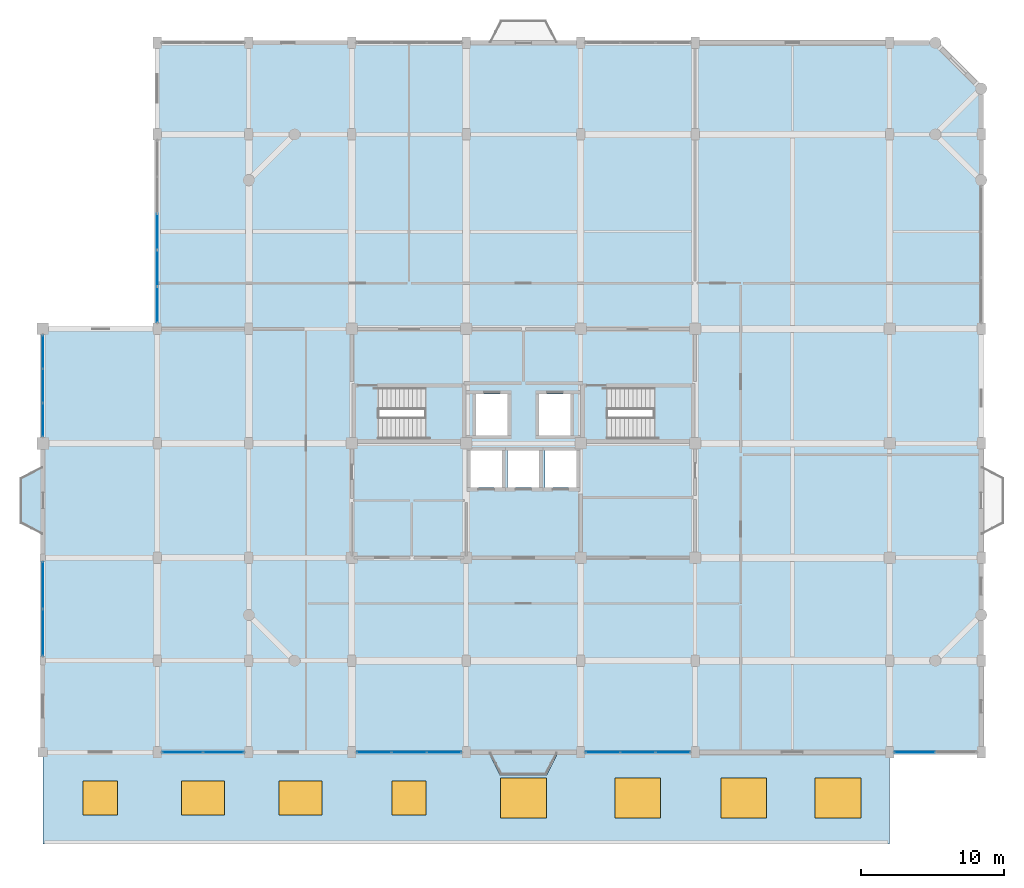
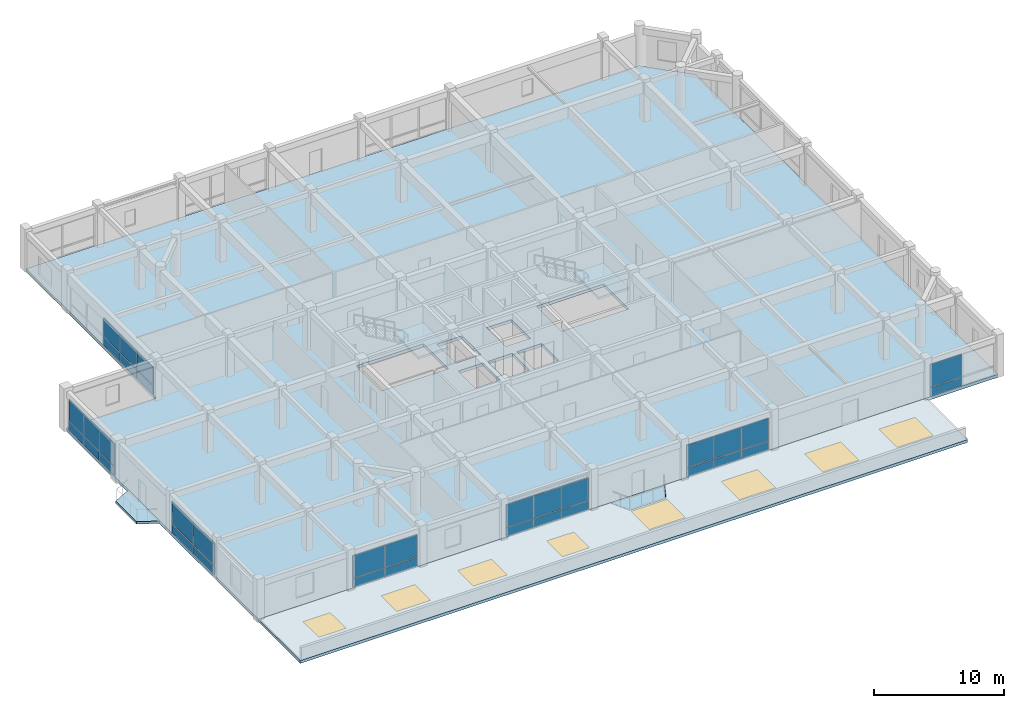
# One storey, part 14 of 20: 34 plates, 8 windows, 6 slabs, 8 openings, 9 elements without a shape of their own.
"""IFC4 building model written with IfcOpenShell, lengths in metres."""

from ifc_helpers import new_model, si_unit, direction, frame, origin, origin_2d, place, context, subcontext, project, spatial, polyline, rectangle, outline, extrude, material, layer, layer_set, type_object, element, fill, aggregate, save


model = new_model("IFC4")

# Units and contexts
model_context = context("Model", 3, precision=1e-05, world=origin(), true_north=direction((0.0, 1.0)))
body_context = subcontext(model_context, "Body", "Model", "MODEL_VIEW")
ifc_project = project(units=[si_unit("LENGTHUNIT", "METRE"), si_unit("AREAUNIT", "SQUARE_METRE"), si_unit("VOLUMEUNIT", "CUBIC_METRE"), si_unit("PLANEANGLEUNIT", "RADIAN"), si_unit("MASSUNIT", "GRAM", prefix="KILO")], contexts=[model_context])

# Site, building, storey
site_placement = place(None, origin())
site = spatial("IfcSite", under=ifc_project, at=site_placement, CompositionType="ELEMENT")
building_placement = place(site_placement, origin())
building = spatial("IfcBuilding", under=site, at=building_placement, Name="Vellmiral Cinema and Media Centre", CompositionType="ELEMENT")
storey_placement = place(building_placement, frame((0.0, 0.0, 23.800048828125)))
storey = spatial("IfcBuildingStorey", under=building, at=storey_placement, Name="L05", CompositionType="ELEMENT", Elevation=23.800048828125)

# Curtain wall, plates
ifc_material_1 = material(Name="Thermally Broken Aluminium and Triple Glazing", Category="aluminium")
curtain_wall_type_1 = type_object("IfcCurtainWallType", Name="CW-TOWER-LOW-S", PredefinedType="USERDEFINED", material=ifc_material_1)
curtain_wall_1_placement = place(storey_placement, origin())
curtain_wall_1 = element("IfcCurtainWall", 1, at=curtain_wall_1_placement, inside=storey, type_object=curtain_wall_type_1, Name="Curtain Wall L05-B002", ObjectType="UNITISED CURTAIN WALL", PredefinedType="USERDEFINED")
ifc_material_2 = material(Name="Solar-Control Acoustic Triple Glazing", Category="glass")
ifc_layer_1 = layer(ifc_material_2, 0.0419921875, Name="Solar-Control Acoustic Triple Glazing")
ifc_layer_set_1 = layer_set([ifc_layer_1], Name="Solar-Control Acoustic Triple Glazing")
plate_type_1 = type_object("IfcPlateType", Name="CWP-SOLAR-42", PredefinedType="CURTAIN_PANEL", material=ifc_layer_set_1)
plate_1_placement = place(storey_placement, frame((112.166259765625, 65.60009765625, 0.932373046875), z_axis=(0.0, 0.0, 1.0), x_axis=(1.0, 0.0, 0.0)))
plate_1 = element("IfcPlate", 2, at=plate_1_placement, type_object=plate_type_1, Name="CW-06 panel 1.2", PredefinedType="CURTAIN_PANEL", context=body_context, shape_type="SweptSolid", body=[
    extrude(rectangle(XDim=2.802490234375, YDim=0.0419921875, at=origin_2d()), origin(), (0.0, 0.0, 1.0), 2.1025390625),
])
plate_2_placement = place(storey_placement, frame((115.03369140625, 65.60009765625, 0.932373046875), z_axis=(0.0, 0.0, 1.0), x_axis=(1.0, 0.0, 0.0)))
plate_2 = element("IfcPlate", 3, at=plate_2_placement, type_object=plate_type_1, Name="CW-06 panel 2.2", PredefinedType="CURTAIN_PANEL", context=body_context, shape_type="SweptSolid", body=[
    extrude(rectangle(XDim=2.802490234375, YDim=0.0419921875, at=origin_2d()), origin(), (0.0, 0.0, 1.0), 2.1025390625),
])

curtain_wall_2_placement = place(storey_placement, origin())
curtain_wall_2 = element("IfcCurtainWall", 4, at=curtain_wall_2_placement, inside=storey, type_object=curtain_wall_type_1, Name="Curtain Wall L05-B004", ObjectType="UNITISED CURTAIN WALL", PredefinedType="USERDEFINED")
plate_3_placement = place(storey_placement, frame((125.549560546875, 65.60009765625, 0.932373046875), z_axis=(0.0, 0.0, 1.0), x_axis=(1.0, 0.0, 0.0)))
plate_3 = element("IfcPlate", 5, at=plate_3_placement, type_object=plate_type_1, Name="CW-06 panel 1.2", PredefinedType="CURTAIN_PANEL", context=body_context, shape_type="SweptSolid", body=[
    extrude(rectangle(XDim=2.369140625, YDim=0.0419921875, at=origin_2d()), origin(), (0.0, 0.0, 1.0), 2.1025390625),
])
plate_4_placement = place(storey_placement, frame((128.0, 65.60009765625, 0.932373046875), z_axis=(0.0, 0.0, 1.0), x_axis=(1.0, 0.0, 0.0)))
plate_4 = element("IfcPlate", 6, at=plate_4_placement, type_object=plate_type_1, Name="CW-06 panel 2.2", PredefinedType="CURTAIN_PANEL", context=body_context, shape_type="SweptSolid", body=[
    extrude(rectangle(XDim=2.401611328125, YDim=0.0419921875, at=origin_2d()), origin(), (0.0, 0.0, 1.0), 2.1025390625),
])
plate_5_placement = place(storey_placement, frame((130.450439453125, 65.60009765625, 0.932373046875), z_axis=(0.0, 0.0, 1.0), x_axis=(1.0, 0.0, 0.0)))
plate_5 = element("IfcPlate", 7, at=plate_5_placement, type_object=plate_type_1, Name="CW-06 panel 3.2", PredefinedType="CURTAIN_PANEL", context=body_context, shape_type="SweptSolid", body=[
    extrude(rectangle(XDim=2.369140625, YDim=0.0419921875, at=origin_2d()), origin(), (0.0, 0.0, 1.0), 2.1025390625),
])

curtain_wall_3_placement = place(storey_placement, origin())
curtain_wall_3 = element("IfcCurtainWall", 8, at=curtain_wall_3_placement, inside=storey, type_object=curtain_wall_type_1, Name="Curtain Wall L05-B006", ObjectType="UNITISED CURTAIN WALL", PredefinedType="USERDEFINED")
plate_6_placement = place(storey_placement, frame((141.549560546875, 65.60009765625, 0.932373046875), z_axis=(0.0, 0.0, 1.0), x_axis=(1.0, 0.0, 0.0)))
plate_6 = element("IfcPlate", 9, at=plate_6_placement, type_object=plate_type_1, Name="CW-06 panel 1.2", PredefinedType="CURTAIN_PANEL", context=body_context, shape_type="SweptSolid", body=[
    extrude(rectangle(XDim=2.369140625, YDim=0.0419921875, at=origin_2d()), origin(), (0.0, 0.0, 1.0), 2.1025390625),
])
plate_7_placement = place(storey_placement, frame((144.0, 65.60009765625, 0.932373046875), z_axis=(0.0, 0.0, 1.0), x_axis=(1.0, 0.0, 0.0)))
plate_7 = element("IfcPlate", 10, at=plate_7_placement, type_object=plate_type_1, Name="CW-06 panel 2.2", PredefinedType="CURTAIN_PANEL", context=body_context, shape_type="SweptSolid", body=[
    extrude(rectangle(XDim=2.401611328125, YDim=0.0419921875, at=origin_2d()), origin(), (0.0, 0.0, 1.0), 2.1025390625),
])
plate_8_placement = place(storey_placement, frame((146.450439453125, 65.60009765625, 0.932373046875), z_axis=(0.0, 0.0, 1.0), x_axis=(1.0, 0.0, 0.0)))
plate_8 = element("IfcPlate", 11, at=plate_8_placement, type_object=plate_type_1, Name="CW-06 panel 3.2", PredefinedType="CURTAIN_PANEL", context=body_context, shape_type="SweptSolid", body=[
    extrude(rectangle(XDim=2.369140625, YDim=0.0419921875, at=origin_2d()), origin(), (0.0, 0.0, 1.0), 2.1025390625),
])

# Curtain wall, plate
curtain_wall_4_placement = place(storey_placement, origin())
curtain_wall_4 = element("IfcCurtainWall", 12, at=curtain_wall_4_placement, inside=storey, type_object=curtain_wall_type_1, Name="Curtain Wall L05-B008", ObjectType="UNITISED CURTAIN WALL", PredefinedType="USERDEFINED")
plate_9_placement = place(storey_placement, frame((163.3662109375, 65.60009765625, 0.932373046875), z_axis=(0.0, 0.0, 1.0), x_axis=(1.0, 0.0, 0.0)))
plate_9 = element("IfcPlate", 13, at=plate_9_placement, type_object=plate_type_1, Name="CW-06 panel 1.2", PredefinedType="CURTAIN_PANEL", context=body_context, shape_type="SweptSolid", body=[
    extrude(rectangle(XDim=2.802490234375, YDim=0.0419921875, at=origin_2d()), origin(), (0.0, 0.0, 1.0), 2.1025390625),
])

# Plate
ifc_material_3 = material(Name="Polychrome Trencadis Ceramic Spandrel Panel", Category="ceramic")
ifc_layer_2 = layer(ifc_material_3, 0.052001953125, Name="Polychrome Trencadis Ceramic Spandrel Panel")
ifc_layer_set_2 = layer_set([ifc_layer_2], Name="Polychrome Trencadis Ceramic Spandrel Panel")
plate_type_2 = type_object("IfcPlateType", Name="CWP-TRENC-52", PredefinedType="CURTAIN_PANEL", material=ifc_layer_set_2)
plate_10_placement = place(storey_placement, frame((112.166259765625, 65.60009765625, 0.06494140625), z_axis=(0.0, 0.0, 1.0), x_axis=(1.0, 0.0, 0.0)))
plate_10 = element("IfcPlate", 14, at=plate_10_placement, type_object=plate_type_2, Name="CW-06 panel 1.1", PredefinedType="CURTAIN_PANEL", context=body_context, shape_type="SweptSolid", body=[
    extrude(rectangle(XDim=2.802490234375, YDim=0.052001953125, at=origin_2d()), origin(), (0.0, 0.0, 1.0), 0.802490234375),
])

plate_11_placement = place(storey_placement, frame((115.03369140625, 65.60009765625, 0.06494140625), z_axis=(0.0, 0.0, 1.0), x_axis=(1.0, 0.0, 0.0)))
plate_11 = element("IfcPlate", 15, at=plate_11_placement, type_object=plate_type_2, Name="CW-06 panel 2.1", PredefinedType="CURTAIN_PANEL", context=body_context, shape_type="SweptSolid", body=[
    extrude(rectangle(XDim=2.802490234375, YDim=0.052001953125, at=origin_2d()), origin(), (0.0, 0.0, 1.0), 0.802490234375),
])

aggregate(curtain_wall_1, [plate_10, plate_1, plate_11, plate_2])

plate_12_placement = place(storey_placement, frame((125.549560546875, 65.60009765625, 0.06494140625), z_axis=(0.0, 0.0, 1.0), x_axis=(1.0, 0.0, 0.0)))
plate_12 = element("IfcPlate", 16, at=plate_12_placement, type_object=plate_type_2, Name="CW-06 panel 1.1", PredefinedType="CURTAIN_PANEL", context=body_context, shape_type="SweptSolid", body=[
    extrude(rectangle(XDim=2.369140625, YDim=0.052001953125, at=origin_2d()), origin(), (0.0, 0.0, 1.0), 0.802490234375),
])

plate_13_placement = place(storey_placement, frame((128.0, 65.60009765625, 0.06494140625), z_axis=(0.0, 0.0, 1.0), x_axis=(1.0, 0.0, 0.0)))
plate_13 = element("IfcPlate", 17, at=plate_13_placement, type_object=plate_type_2, Name="CW-06 panel 2.1", PredefinedType="CURTAIN_PANEL", context=body_context, shape_type="SweptSolid", body=[
    extrude(rectangle(XDim=2.401611328125, YDim=0.052001953125, at=origin_2d()), origin(), (0.0, 0.0, 1.0), 0.802490234375),
])

plate_14_placement = place(storey_placement, frame((130.450439453125, 65.60009765625, 0.06494140625), z_axis=(0.0, 0.0, 1.0), x_axis=(1.0, 0.0, 0.0)))
plate_14 = element("IfcPlate", 18, at=plate_14_placement, type_object=plate_type_2, Name="CW-06 panel 3.1", PredefinedType="CURTAIN_PANEL", context=body_context, shape_type="SweptSolid", body=[
    extrude(rectangle(XDim=2.369140625, YDim=0.052001953125, at=origin_2d()), origin(), (0.0, 0.0, 1.0), 0.802490234375),
])

aggregate(curtain_wall_2, [plate_12, plate_3, plate_13, plate_4, plate_14, plate_5])

plate_15_placement = place(storey_placement, frame((141.549560546875, 65.60009765625, 0.06494140625), z_axis=(0.0, 0.0, 1.0), x_axis=(1.0, 0.0, 0.0)))
plate_15 = element("IfcPlate", 19, at=plate_15_placement, type_object=plate_type_2, Name="CW-06 panel 1.1", PredefinedType="CURTAIN_PANEL", context=body_context, shape_type="SweptSolid", body=[
    extrude(rectangle(XDim=2.369140625, YDim=0.052001953125, at=origin_2d()), origin(), (0.0, 0.0, 1.0), 0.802490234375),
])

plate_16_placement = place(storey_placement, frame((144.0, 65.60009765625, 0.06494140625), z_axis=(0.0, 0.0, 1.0), x_axis=(1.0, 0.0, 0.0)))
plate_16 = element("IfcPlate", 20, at=plate_16_placement, type_object=plate_type_2, Name="CW-06 panel 2.1", PredefinedType="CURTAIN_PANEL", context=body_context, shape_type="SweptSolid", body=[
    extrude(rectangle(XDim=2.401611328125, YDim=0.052001953125, at=origin_2d()), origin(), (0.0, 0.0, 1.0), 0.802490234375),
])

plate_17_placement = place(storey_placement, frame((146.450439453125, 65.60009765625, 0.06494140625), z_axis=(0.0, 0.0, 1.0), x_axis=(1.0, 0.0, 0.0)))
plate_17 = element("IfcPlate", 21, at=plate_17_placement, type_object=plate_type_2, Name="CW-06 panel 3.1", PredefinedType="CURTAIN_PANEL", context=body_context, shape_type="SweptSolid", body=[
    extrude(rectangle(XDim=2.369140625, YDim=0.052001953125, at=origin_2d()), origin(), (0.0, 0.0, 1.0), 0.802490234375),
])

aggregate(curtain_wall_3, [plate_15, plate_6, plate_16, plate_7, plate_17, plate_8])

plate_18_placement = place(storey_placement, frame((163.3662109375, 65.60009765625, 0.06494140625), z_axis=(0.0, 0.0, 1.0), x_axis=(1.0, 0.0, 0.0)))
plate_18 = element("IfcPlate", 22, at=plate_18_placement, type_object=plate_type_2, Name="CW-06 panel 1.1", PredefinedType="CURTAIN_PANEL", context=body_context, shape_type="SweptSolid", body=[
    extrude(rectangle(XDim=2.802490234375, YDim=0.052001953125, at=origin_2d()), origin(), (0.0, 0.0, 1.0), 0.802490234375),
])

aggregate(curtain_wall_4, [plate_18, plate_9])

# Curtain wall, plates
ifc_material_4 = material(Name="Thermally Broken Aluminium and Triple Glazing", Category="aluminium")
curtain_wall_type_2 = type_object("IfcCurtainWallType", Name="CW-TOWER-LOW-N", PredefinedType="USERDEFINED", material=ifc_material_4)
curtain_wall_5_placement = place(storey_placement, origin())
curtain_wall_5 = element("IfcCurtainWall", 23, at=curtain_wall_5_placement, inside=storey, type_object=curtain_wall_type_2, Name="Curtain Wall L05-B026", ObjectType="UNITISED CURTAIN WALL", PredefinedType="USERDEFINED")
plate_19_placement = place(storey_placement, frame((110.39990234375, 102.0, 0.06494140625), z_axis=(0.0, 0.0, 1.0), x_axis=(0.0, -1.0, 0.0)))
plate_19 = element("IfcPlate", 24, at=plate_19_placement, type_object=plate_type_2, Name="CW-05 panel 3.1", PredefinedType="CURTAIN_PANEL", context=body_context, shape_type="SweptSolid", body=[
    extrude(rectangle(XDim=2.4951171875, YDim=0.052001953125, at=origin_2d()), origin(), (0.0, 0.0, 1.0), 0.802490234375),
])
plate_20_placement = place(storey_placement, frame((110.39990234375, 99.43994140625, 0.06494140625), z_axis=(0.0, 0.0, 1.0), x_axis=(0.0, -1.0, 0.0)))
plate_20 = element("IfcPlate", 25, at=plate_20_placement, type_object=plate_type_2, Name="CW-05 panel 4.1", PredefinedType="CURTAIN_PANEL", context=body_context, shape_type="SweptSolid", body=[
    extrude(rectangle(XDim=2.4951171875, YDim=0.052001953125, at=origin_2d()), origin(), (0.0, 0.0, 1.0), 0.802490234375),
])
plate_21_placement = place(storey_placement, frame((110.39990234375, 96.896240234375, 0.06494140625), z_axis=(0.0, 0.0, 1.0), x_axis=(0.0, -1.0, 0.0)))
plate_21 = element("IfcPlate", 26, at=plate_21_placement, type_object=plate_type_2, Name="CW-05 panel 5.1", PredefinedType="CURTAIN_PANEL", context=body_context, shape_type="SweptSolid", body=[
    extrude(rectangle(XDim=2.46240234375, YDim=0.052001953125, at=origin_2d()), origin(), (0.0, 0.0, 1.0), 0.802490234375),
])

curtain_wall_6_placement = place(storey_placement, origin())
curtain_wall_6 = element("IfcCurtainWall", 27, at=curtain_wall_6_placement, inside=storey, type_object=curtain_wall_type_2, Name="Curtain Wall L05-B028", ObjectType="UNITISED CURTAIN WALL", PredefinedType="USERDEFINED")
plate_22_placement = place(storey_placement, frame((102.39990234375, 93.587890625, 0.06494140625), z_axis=(0.0, 0.0, 1.0), x_axis=(0.0, -1.0, 0.0)))
plate_22 = element("IfcPlate", 28, at=plate_22_placement, type_object=plate_type_2, Name="CW-05 panel 1.1", PredefinedType="CURTAIN_PANEL", context=body_context, shape_type="SweptSolid", body=[
    extrude(rectangle(XDim=2.294189453125, YDim=0.052001953125, at=origin_2d()), origin(), (0.0, 0.0, 1.0), 0.802490234375),
])
plate_23_placement = place(storey_placement, frame((102.39990234375, 91.21240234375, 0.06494140625), z_axis=(0.0, 0.0, 1.0), x_axis=(0.0, -1.0, 0.0)))
plate_23 = element("IfcPlate", 29, at=plate_23_placement, type_object=plate_type_2, Name="CW-05 panel 2.1", PredefinedType="CURTAIN_PANEL", context=body_context, shape_type="SweptSolid", body=[
    extrude(rectangle(XDim=2.32666015625, YDim=0.052001953125, at=origin_2d()), origin(), (0.0, 0.0, 1.0), 0.802490234375),
])
plate_24_placement = place(storey_placement, frame((102.39990234375, 88.837158203125, 0.06494140625), z_axis=(0.0, 0.0, 1.0), x_axis=(0.0, -1.0, 0.0)))
plate_24 = element("IfcPlate", 30, at=plate_24_placement, type_object=plate_type_2, Name="CW-05 panel 3.1", PredefinedType="CURTAIN_PANEL", context=body_context, shape_type="SweptSolid", body=[
    extrude(rectangle(XDim=2.294189453125, YDim=0.052001953125, at=origin_2d()), origin(), (0.0, 0.0, 1.0), 0.802490234375),
])

curtain_wall_7_placement = place(storey_placement, origin())
curtain_wall_7 = element("IfcCurtainWall", 31, at=curtain_wall_7_placement, inside=storey, type_object=curtain_wall_type_2, Name="Curtain Wall L05-B030", ObjectType="UNITISED CURTAIN WALL", PredefinedType="USERDEFINED")
plate_25_placement = place(storey_placement, frame((102.39990234375, 77.271240234375, 0.06494140625), z_axis=(0.0, 0.0, 1.0), x_axis=(0.0, -1.0, 0.0)))
plate_25 = element("IfcPlate", 32, at=plate_25_placement, type_object=plate_type_2, Name="CW-05 panel 1.1", PredefinedType="CURTAIN_PANEL", context=body_context, shape_type="SweptSolid", body=[
    extrude(rectangle(XDim=3.2275390625, YDim=0.052001953125, at=origin_2d()), origin(), (0.0, 0.0, 1.0), 0.802490234375),
])
plate_26_placement = place(storey_placement, frame((102.39990234375, 73.978759765625, 0.06494140625), z_axis=(0.0, 0.0, 1.0), x_axis=(0.0, -1.0, 0.0)))
plate_26 = element("IfcPlate", 33, at=plate_26_placement, type_object=plate_type_2, Name="CW-05 panel 2.1", PredefinedType="CURTAIN_PANEL", context=body_context, shape_type="SweptSolid", body=[
    extrude(rectangle(XDim=3.2275390625, YDim=0.052001953125, at=origin_2d()), origin(), (0.0, 0.0, 1.0), 0.802490234375),
])

# Plate
ifc_material_5 = material(Name="Triple Low-E Vision Glazing", Category="glass")
ifc_layer_3 = layer(ifc_material_5, 0.0380859375, Name="Triple Low-E Vision Glazing")
ifc_layer_set_3 = layer_set([ifc_layer_3], Name="Triple Low-E Vision Glazing")
plate_type_3 = type_object("IfcPlateType", Name="CWP-VISION-38", PredefinedType="CURTAIN_PANEL", material=ifc_layer_set_3)
plate_27_placement = place(storey_placement, frame((110.39990234375, 102.0, 0.932373046875), z_axis=(0.0, 0.0, 1.0), x_axis=(0.0, -1.0, 0.0)))
plate_27 = element("IfcPlate", 34, at=plate_27_placement, type_object=plate_type_3, Name="CW-05 panel 3.2", PredefinedType="CURTAIN_PANEL", context=body_context, shape_type="SweptSolid", body=[
    extrude(rectangle(XDim=2.4951171875, YDim=0.0380859375, at=origin_2d()), origin(), (0.0, 0.0, 1.0), 1.6875),
])

plate_28_placement = place(storey_placement, frame((110.39990234375, 99.43994140625, 0.932373046875), z_axis=(0.0, 0.0, 1.0), x_axis=(0.0, -1.0, 0.0)))
plate_28 = element("IfcPlate", 35, at=plate_28_placement, type_object=plate_type_3, Name="CW-05 panel 4.2", PredefinedType="CURTAIN_PANEL", context=body_context, shape_type="SweptSolid", body=[
    extrude(rectangle(XDim=2.4951171875, YDim=0.0380859375, at=origin_2d()), origin(), (0.0, 0.0, 1.0), 1.6875),
])

plate_29_placement = place(storey_placement, frame((110.39990234375, 96.896240234375, 0.932373046875), z_axis=(0.0, 0.0, 1.0), x_axis=(0.0, -1.0, 0.0)))
plate_29 = element("IfcPlate", 36, at=plate_29_placement, type_object=plate_type_3, Name="CW-05 panel 5.2", PredefinedType="CURTAIN_PANEL", context=body_context, shape_type="SweptSolid", body=[
    extrude(rectangle(XDim=2.46240234375, YDim=0.0380859375, at=origin_2d()), origin(), (0.0, 0.0, 1.0), 1.6875),
])

aggregate(curtain_wall_5, [plate_19, plate_27, plate_20, plate_28, plate_21, plate_29])

plate_30_placement = place(storey_placement, frame((102.39990234375, 93.587890625, 0.932373046875), z_axis=(0.0, 0.0, 1.0), x_axis=(0.0, -1.0, 0.0)))
plate_30 = element("IfcPlate", 37, at=plate_30_placement, type_object=plate_type_3, Name="CW-05 panel 1.2", PredefinedType="CURTAIN_PANEL", context=body_context, shape_type="SweptSolid", body=[
    extrude(rectangle(XDim=2.294189453125, YDim=0.0380859375, at=origin_2d()), origin(), (0.0, 0.0, 1.0), 2.1025390625),
])

plate_31_placement = place(storey_placement, frame((102.39990234375, 91.21240234375, 0.932373046875), z_axis=(0.0, 0.0, 1.0), x_axis=(0.0, -1.0, 0.0)))
plate_31 = element("IfcPlate", 38, at=plate_31_placement, type_object=plate_type_3, Name="CW-05 panel 2.2", PredefinedType="CURTAIN_PANEL", context=body_context, shape_type="SweptSolid", body=[
    extrude(rectangle(XDim=2.32666015625, YDim=0.0380859375, at=origin_2d()), origin(), (0.0, 0.0, 1.0), 2.1025390625),
])

plate_32_placement = place(storey_placement, frame((102.39990234375, 88.837158203125, 0.932373046875), z_axis=(0.0, 0.0, 1.0), x_axis=(0.0, -1.0, 0.0)))
plate_32 = element("IfcPlate", 39, at=plate_32_placement, type_object=plate_type_3, Name="CW-05 panel 3.2", PredefinedType="CURTAIN_PANEL", context=body_context, shape_type="SweptSolid", body=[
    extrude(rectangle(XDim=2.294189453125, YDim=0.0380859375, at=origin_2d()), origin(), (0.0, 0.0, 1.0), 2.1025390625),
])

aggregate(curtain_wall_6, [plate_22, plate_30, plate_23, plate_31, plate_24, plate_32])

plate_33_placement = place(storey_placement, frame((102.39990234375, 77.271240234375, 0.9326171875), z_axis=(0.0, 0.0, 1.0), x_axis=(0.0, -1.0, 0.0)))
plate_33 = element("IfcPlate", 40, at=plate_33_placement, type_object=plate_type_3, Name="CW-05 panel 1.2", PredefinedType="CURTAIN_PANEL", context=body_context, shape_type="SweptSolid", body=[
    extrude(rectangle(XDim=3.2275390625, YDim=0.0380859375, at=origin_2d()), origin(), (0.0, 0.0, 1.0), 2.08740234375),
])

plate_34_placement = place(storey_placement, frame((102.39990234375, 73.978759765625, 0.9326171875), z_axis=(0.0, 0.0, 1.0), x_axis=(0.0, -1.0, 0.0)))
plate_34 = element("IfcPlate", 41, at=plate_34_placement, type_object=plate_type_3, Name="CW-05 panel 2.2", PredefinedType="CURTAIN_PANEL", context=body_context, shape_type="SweptSolid", body=[
    extrude(rectangle(XDim=3.2275390625, YDim=0.0380859375, at=origin_2d()), origin(), (0.0, 0.0, 1.0), 2.08740234375),
])

aggregate(curtain_wall_7, [plate_25, plate_33, plate_26, plate_34])

# Slab
ifc_material_6 = material(Name="Concrete C40/50", Category="concrete")
ifc_layer_4 = layer(ifc_material_6, 0.280029296875, Name="Concrete C40/50")
ifc_layer_set_4 = layer_set([ifc_layer_4], Name="Concrete C40/50")
slab_type_1 = type_object("IfcSlabType", Name="SLB-FLR-280", PredefinedType="FLOOR", material=ifc_layer_set_4)
slab_1_placement = place(storey_placement, frame((0.0, 0.0, -0.280029296875)))
element("IfcSlab", 42, at=slab_1_placement, inside=storey, type_object=slab_type_1, Name="L05 Structural Slab", PredefinedType="FLOOR", context=body_context, shape_type="SweptSolid", body=[
    extrude(outline(polyline([(102.39990234375, 65.60009765625), (168.0, 65.60009765625), (168.0, 112.0), (164.800048828125, 115.199951171875), (110.39990234375, 115.199951171875), (110.39990234375, 95.199951171875), (102.39990234375, 95.199951171875), (102.39990234375, 65.60009765625)]), holes=[polyline([(125.85009765625, 87.3798828125), (131.820068359375, 87.3798828125), (131.820068359375, 91.219970703125), (125.85009765625, 91.219970703125), (125.85009765625, 87.3798828125)]), polyline([(141.85009765625, 87.3798828125), (147.820068359375, 87.3798828125), (147.820068359375, 91.219970703125), (141.85009765625, 91.219970703125), (141.85009765625, 87.3798828125)]), polyline([(132.699951171875, 87.75), (134.89990234375, 87.75), (134.89990234375, 90.64990234375), (132.699951171875, 90.64990234375), (132.699951171875, 87.75)]), polyline([(137.10009765625, 87.75), (139.300048828125, 87.75), (139.300048828125, 90.64990234375), (137.10009765625, 90.64990234375), (137.10009765625, 87.75)]), polyline([(132.300048828125, 84.10009765625), (134.5, 84.10009765625), (134.5, 86.699951171875), (132.300048828125, 86.699951171875), (132.300048828125, 84.10009765625)]), polyline([(134.89990234375, 84.10009765625), (137.10009765625, 84.10009765625), (137.10009765625, 86.699951171875), (134.89990234375, 86.699951171875), (134.89990234375, 84.10009765625)]), polyline([(137.5, 84.10009765625), (139.699951171875, 84.10009765625), (139.699951171875, 86.699951171875), (137.5, 86.699951171875), (137.5, 84.10009765625)])]), origin(), (0.0, 0.0, 1.0), 0.280029296875),
])

# Stair, slab
ifc_material_7 = material(Name="Concrete C40/50", Category="concrete")
stair_type = type_object("IfcStairType", Name="ST-2RET-400", PredefinedType="HALF_TURN_STAIR", material=ifc_material_7)
stair_1_placement = place(storey_placement, origin())
stair_1 = element("IfcStair", 43, at=stair_1_placement, inside=storey, type_object=stair_type, Name="Protected Escape Stair ST-T1 (L05)", PredefinedType="HALF_TURN_STAIR")
ifc_material_8 = material(Name="Concrete C40/50", Category="concrete")
ifc_layer_5 = layer(ifc_material_8, 0.219970703125, Name="Concrete C40/50")
ifc_layer_set_5 = layer_set([ifc_layer_5], Name="Concrete C40/50")
slab_type_2 = type_object("IfcSlabType", Name="SLB-LAND-220", PredefinedType="LANDING", material=ifc_layer_set_5)
slab_2_placement = place(storey_placement, frame((0.0, 0.0, 1.780029296875)))
slab_2 = element("IfcSlab", 44, at=slab_2_placement, type_object=slab_type_2, Name="ST-T1 landing 1", PredefinedType="LANDING", context=body_context, shape_type="SweptSolid", body=[
    extrude(outline(polyline([(129.14990234375, 87.3798828125), (131.820068359375, 87.3798828125), (131.820068359375, 91.219970703125), (129.14990234375, 91.219970703125), (129.14990234375, 87.3798828125)])), origin(), (0.0, 0.0, 1.0), 0.219970703125),
])
aggregate(stair_1, [slab_2])

stair_2_placement = place(storey_placement, origin())
stair_2 = element("IfcStair", 45, at=stair_2_placement, inside=storey, type_object=stair_type, Name="Protected Escape Stair ST-T2 (L05)", PredefinedType="HALF_TURN_STAIR")
slab_3_placement = place(storey_placement, frame((0.0, 0.0, 1.780029296875)))
slab_3 = element("IfcSlab", 46, at=slab_3_placement, type_object=slab_type_2, Name="ST-T2 landing 1", PredefinedType="LANDING", context=body_context, shape_type="SweptSolid", body=[
    extrude(outline(polyline([(145.14990234375, 87.3798828125), (147.820068359375, 87.3798828125), (147.820068359375, 91.219970703125), (145.14990234375, 91.219970703125), (145.14990234375, 87.3798828125)])), origin(), (0.0, 0.0, 1.0), 0.219970703125),
])
aggregate(stair_2, [slab_3])

# Slabs
ifc_material_9 = material(Name="Concrete C40/50", Category="concrete")
ifc_layer_6 = layer(ifc_material_9, 0.22998046875, Name="Concrete C40/50")
ifc_layer_set_6 = layer_set([ifc_layer_6], Name="Concrete C40/50")
slab_type_3 = type_object("IfcSlabType", Name="SLB-MIRA-230", PredefinedType="FLOOR", material=ifc_layer_set_6)
slab_4_placement = place(storey_placement, frame((0.0, 0.0, -0.22998046875)))
element("IfcSlab", 47, at=slab_4_placement, inside=storey, type_object=slab_type_3, Name="Catalan Mirador Balcony L05-W", PredefinedType="FLOOR", context=body_context, shape_type="SweptSolid", body=[
    extrude(outline(polyline([(102.39990234375, 80.800048828125), (102.39990234375, 85.60009765625), (100.800048828125, 84.800048828125), (100.800048828125, 81.60009765625), (102.39990234375, 80.800048828125)])), origin(), (0.0, 0.0, 1.0), 0.22998046875),
])
slab_5_placement = place(storey_placement, frame((0.0, 0.0, -0.22998046875)))
element("IfcSlab", 48, at=slab_5_placement, inside=storey, type_object=slab_type_3, Name="Catalan Mirador Balcony L05-S", PredefinedType="FLOOR", context=body_context, shape_type="SweptSolid", body=[
    extrude(outline(polyline([(133.60009765625, 65.60009765625), (134.39990234375, 64.0), (137.60009765625, 64.0), (138.39990234375, 65.60009765625), (133.60009765625, 65.60009765625)])), origin(), (0.0, 0.0, 1.0), 0.22998046875),
])

# Slab, openings, windows
ifc_material_10 = material(Name="Concrete C40/50", Category="concrete")
ifc_layer_7 = layer(ifc_material_10, 0.27001953125, Name="Concrete C40/50")
ifc_layer_set_7 = layer_set([ifc_layer_7], Name="Concrete C40/50")
slab_type_4 = type_object("IfcSlabType", Name="SLB-ROOF-270", PredefinedType="ROOF", material=ifc_layer_set_7)
slab_6_placement = place(storey_placement, frame((0.0, 0.0, -0.27001953125)))
slab_6 = element("IfcSlab", 49, at=slab_6_placement, inside=storey, type_object=slab_type_4, Name="Setback Maintenance Roof Slab SB05-SOUTH", PredefinedType="ROOF", context=body_context, shape_type="SweptSolid", body=[
    extrude(outline(polyline([(102.39990234375, 59.199951171875), (161.60009765625, 59.199951171875), (161.60009765625, 65.580078125), (138.419921875, 65.580078125), (137.6201171875, 63.97998046875), (134.3798828125, 63.97998046875), (133.580078125, 65.580078125), (102.39990234375, 65.580078125), (102.39990234375, 59.199951171875)])), origin(), (0.0, 0.0, 1.0), 0.27001953125),
])
opening_1_placement = place(slab_6_placement, frame((106.39990234375, 62.39990234375, -0.011962890625)))
opening_1 = element("IfcOpeningElement", 50, at=opening_1_placement, cuts=slab_6, Name="Opening SK-03", PredefinedType="OPENING", context=body_context, shape_type="SweptSolid", body=[
    extrude(rectangle(XDim=2.39990234375, YDim=2.39990234375, at=origin_2d()), origin(), (0.0, 0.0, 1.0), 0.2939453125),
])
opening_2_placement = place(slab_6_placement, frame((128.0, 62.39990234375, -0.011962890625)))
opening_2 = element("IfcOpeningElement", 51, at=opening_2_placement, cuts=slab_6, Name="Opening SK-03", PredefinedType="OPENING", context=body_context, shape_type="SweptSolid", body=[
    extrude(rectangle(XDim=2.39990234375, YDim=2.39990234375, at=origin_2d()), origin(), (0.0, 0.0, 1.0), 0.2939453125),
])
opening_3_placement = place(slab_6_placement, frame((113.60009765625, 62.39990234375, -0.011962890625)))
opening_3 = element("IfcOpeningElement", 52, at=opening_3_placement, cuts=slab_6, Name="Opening SK-02", PredefinedType="OPENING", context=body_context, shape_type="SweptSolid", body=[
    extrude(rectangle(XDim=3.0, YDim=2.39990234375, at=origin_2d()), origin(), (0.0, 0.0, 1.0), 0.2939453125),
])
opening_4_placement = place(slab_6_placement, frame((120.39990234375, 62.39990234375, -0.011962890625)))
opening_4 = element("IfcOpeningElement", 53, at=opening_4_placement, cuts=slab_6, Name="Opening SK-02", PredefinedType="OPENING", context=body_context, shape_type="SweptSolid", body=[
    extrude(rectangle(XDim=3.0, YDim=2.39990234375, at=origin_2d()), origin(), (0.0, 0.0, 1.0), 0.2939453125),
])
opening_5_placement = place(slab_6_placement, frame((136.0, 62.39990234375, -0.011962890625)))
opening_5 = element("IfcOpeningElement", 54, at=opening_5_placement, cuts=slab_6, Name="Opening SK-01", PredefinedType="OPENING", context=body_context, shape_type="SweptSolid", body=[
    extrude(rectangle(XDim=3.199951171875, YDim=2.800048828125, at=origin_2d()), origin(), (0.0, 0.0, 1.0), 0.2939453125),
])
opening_6_placement = place(slab_6_placement, frame((144.0, 62.39990234375, -0.011962890625)))
opening_6 = element("IfcOpeningElement", 55, at=opening_6_placement, cuts=slab_6, Name="Opening SK-01", PredefinedType="OPENING", context=body_context, shape_type="SweptSolid", body=[
    extrude(rectangle(XDim=3.199951171875, YDim=2.800048828125, at=origin_2d()), origin(), (0.0, 0.0, 1.0), 0.2939453125),
])
opening_7_placement = place(slab_6_placement, frame((151.39990234375, 62.39990234375, -0.011962890625)))
opening_7 = element("IfcOpeningElement", 56, at=opening_7_placement, cuts=slab_6, Name="Opening SK-01", PredefinedType="OPENING", context=body_context, shape_type="SweptSolid", body=[
    extrude(rectangle(XDim=3.199951171875, YDim=2.800048828125, at=origin_2d()), origin(), (0.0, 0.0, 1.0), 0.2939453125),
])
opening_8_placement = place(slab_6_placement, frame((158.0, 62.39990234375, -0.011962890625)))
opening_8 = element("IfcOpeningElement", 57, at=opening_8_placement, cuts=slab_6, Name="Opening SK-01", PredefinedType="OPENING", context=body_context, shape_type="SweptSolid", body=[
    extrude(rectangle(XDim=3.199951171875, YDim=2.800048828125, at=origin_2d()), origin(), (0.0, 0.0, 1.0), 0.2939453125),
])
ifc_material_11 = material(Name="Triple Insulating Stained-Glass Skylight", Category="glass")
window_type_1 = type_object("IfcWindowType", Name="SKY-2400x2400", PartitioningType="SINGLE_PANEL", PredefinedType="SKYLIGHT", material=ifc_material_11)
window_1_placement = place(opening_1_placement, frame((0.0, 0.0, 0.23193359375)))
window_1 = element("IfcWindow", 58, at=window_1_placement, inside=storey, type_object=window_type_1, Name="Stained-Glass Roof Skylight 02", OverallHeight=2.39990234375, OverallWidth=2.39990234375, PartitioningType="SINGLE_PANEL", PredefinedType="SKYLIGHT", context=body_context, shape_type="SweptSolid", body=[
    extrude(rectangle(XDim=2.39990234375, YDim=2.39990234375, at=origin_2d()), origin(), (0.0, 0.0, 1.0), 0.050048828125),
])
fill(opening_1, window_1)
window_2_placement = place(opening_2_placement, frame((0.0, 0.0, 0.23193359375)))
window_2 = element("IfcWindow", 59, at=window_2_placement, inside=storey, type_object=window_type_1, Name="Stained-Glass Roof Skylight 03", OverallHeight=2.39990234375, OverallWidth=2.39990234375, PartitioningType="SINGLE_PANEL", PredefinedType="SKYLIGHT", context=body_context, shape_type="SweptSolid", body=[
    extrude(rectangle(XDim=2.39990234375, YDim=2.39990234375, at=origin_2d()), origin(), (0.0, 0.0, 1.0), 0.050048828125),
])
fill(opening_2, window_2)
ifc_material_12 = material(Name="Triple Insulating Stained-Glass Skylight", Category="glass")
window_type_2 = type_object("IfcWindowType", Name="SKY-3000x2400", PartitioningType="SINGLE_PANEL", PredefinedType="SKYLIGHT", material=ifc_material_12)
window_3_placement = place(opening_3_placement, frame((0.0, 0.0, 0.23193359375)))
window_3 = element("IfcWindow", 60, at=window_3_placement, inside=storey, type_object=window_type_2, Name="Stained-Glass Roof Skylight 04", OverallHeight=2.39990234375, OverallWidth=3.0, PartitioningType="SINGLE_PANEL", PredefinedType="SKYLIGHT", context=body_context, shape_type="SweptSolid", body=[
    extrude(rectangle(XDim=3.0, YDim=2.39990234375, at=origin_2d()), origin(), (0.0, 0.0, 1.0), 0.050048828125),
])
fill(opening_3, window_3)
window_4_placement = place(opening_4_placement, frame((0.0, 0.0, 0.23193359375)))
window_4 = element("IfcWindow", 61, at=window_4_placement, inside=storey, type_object=window_type_2, Name="Stained-Glass Roof Skylight 05", OverallHeight=2.39990234375, OverallWidth=3.0, PartitioningType="SINGLE_PANEL", PredefinedType="SKYLIGHT", context=body_context, shape_type="SweptSolid", body=[
    extrude(rectangle(XDim=3.0, YDim=2.39990234375, at=origin_2d()), origin(), (0.0, 0.0, 1.0), 0.050048828125),
])
fill(opening_4, window_4)
ifc_material_13 = material(Name="Triple Insulating Stained-Glass Skylight", Category="glass")
window_type_3 = type_object("IfcWindowType", Name="SKY-3200x2800", PartitioningType="SINGLE_PANEL", PredefinedType="SKYLIGHT", material=ifc_material_13)
window_5_placement = place(opening_5_placement, frame((0.0, 0.0, 0.23193359375)))
window_5 = element("IfcWindow", 62, at=window_5_placement, inside=storey, type_object=window_type_3, Name="Stained-Glass Roof Skylight 06", OverallHeight=2.800048828125, OverallWidth=3.199951171875, PartitioningType="SINGLE_PANEL", PredefinedType="SKYLIGHT", context=body_context, shape_type="SweptSolid", body=[
    extrude(rectangle(XDim=3.199951171875, YDim=2.800048828125, at=origin_2d()), origin(), (0.0, 0.0, 1.0), 0.050048828125),
])
fill(opening_5, window_5)
window_6_placement = place(opening_6_placement, frame((0.0, 0.0, 0.23193359375)))
window_6 = element("IfcWindow", 63, at=window_6_placement, inside=storey, type_object=window_type_3, Name="Stained-Glass Roof Skylight 07", OverallHeight=2.800048828125, OverallWidth=3.199951171875, PartitioningType="SINGLE_PANEL", PredefinedType="SKYLIGHT", context=body_context, shape_type="SweptSolid", body=[
    extrude(rectangle(XDim=3.199951171875, YDim=2.800048828125, at=origin_2d()), origin(), (0.0, 0.0, 1.0), 0.050048828125),
])
fill(opening_6, window_6)
window_7_placement = place(opening_7_placement, frame((0.0, 0.0, 0.23193359375)))
window_7 = element("IfcWindow", 64, at=window_7_placement, inside=storey, type_object=window_type_3, Name="Stained-Glass Roof Skylight 08", OverallHeight=2.800048828125, OverallWidth=3.199951171875, PartitioningType="SINGLE_PANEL", PredefinedType="SKYLIGHT", context=body_context, shape_type="SweptSolid", body=[
    extrude(rectangle(XDim=3.199951171875, YDim=2.800048828125, at=origin_2d()), origin(), (0.0, 0.0, 1.0), 0.050048828125),
])
fill(opening_7, window_7)
window_8_placement = place(opening_8_placement, frame((0.0, 0.0, 0.23193359375)))
window_8 = element("IfcWindow", 65, at=window_8_placement, inside=storey, type_object=window_type_3, Name="Stained-Glass Roof Skylight 09", OverallHeight=2.800048828125, OverallWidth=3.199951171875, PartitioningType="SINGLE_PANEL", PredefinedType="SKYLIGHT", context=body_context, shape_type="SweptSolid", body=[
    extrude(rectangle(XDim=3.199951171875, YDim=2.800048828125, at=origin_2d()), origin(), (0.0, 0.0, 1.0), 0.050048828125),
])
fill(opening_8, window_8)

save(model, "model.ifc")
